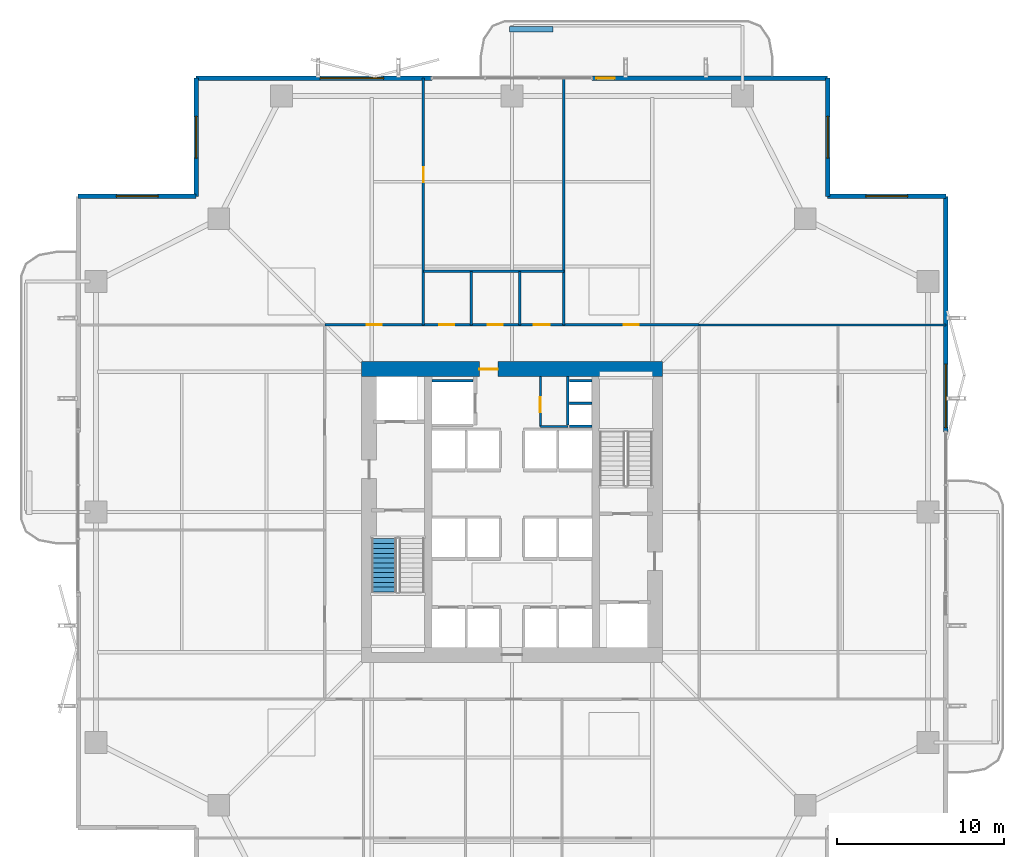
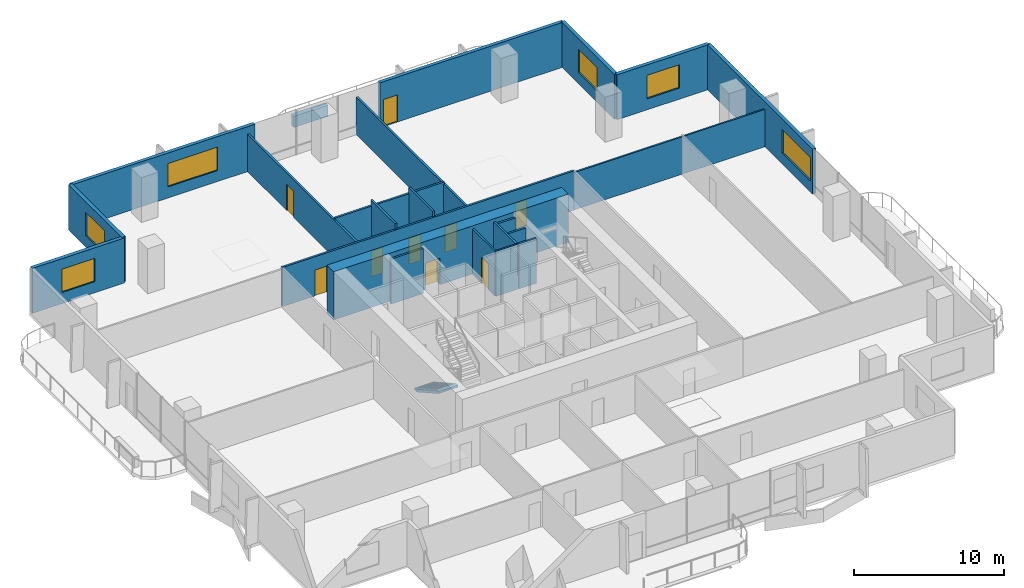
# One storey, part 19 of 23: 23 walls, 9 doors, 6 windows, 1 stair flight, 15 openings, 1 element without a shape of its own.
"""IFC4 building model written with IfcOpenShell, lengths in metres."""

from ifc_helpers import new_model, si_unit, direction, frame, frame_2d, origin, place, context, subcontext, project, spatial, polyline, rectangle, outline, extrude, material, layer, layer_set, type_object, element, fill, aggregate, save


model = new_model("IFC4")

# Units and contexts
model_context = context("Model", 3, precision=1e-05, world=origin(), true_north=direction((0.0, 1.0)))
body_context = subcontext(model_context, "Body", "Model", "MODEL_VIEW")
ifc_project = project(units=[si_unit("LENGTHUNIT", "METRE"), si_unit("AREAUNIT", "SQUARE_METRE"), si_unit("VOLUMEUNIT", "CUBIC_METRE"), si_unit("PLANEANGLEUNIT", "RADIAN"), si_unit("MASSUNIT", "GRAM", prefix="KILO")], contexts=[model_context])

# Site, building, storey
site_placement = place(None, origin())
site = spatial("IfcSite", under=ifc_project, at=site_placement, CompositionType="ELEMENT")
building_placement = place(site_placement, origin())
building = spatial("IfcBuilding", under=site, at=building_placement, Name="Belovzor Exchange Tower", CompositionType="ELEMENT")
storey_placement = place(building_placement, frame((0.0, 0.0, 125.10009765625)))
storey = spatial("IfcBuildingStorey", under=building, at=storey_placement, Name="L30", CompositionType="ELEMENT", Elevation=125.10009765625)

# Wall
ifc_material_1 = material(Name="Acoustic Plasterboard on Galvanised Studs", Category="gypsum")
ifc_layer_1 = layer(ifc_material_1, 0.1201171875)
ifc_layer_set_1 = layer_set([ifc_layer_1], Name="Acoustic Plasterboard on Galvanised Studs")
wall_type_1 = type_object("IfcWallType", Name="Acoustic Double-Stud Partition Wall 120", PredefinedType="PARTITIONING", material=ifc_layer_set_1)
wall_1_placement = place(storey_placement, frame((40.0, 40.0, 0.0), z_axis=(0.0, 0.0, 1.0), x_axis=(1.0, 0.0, 0.0)))
element("IfcWall", 1, at=wall_1_placement, inside=storey, type_object=wall_type_1, Name="W-P120 Partition Wall W-L30-END-NE", PredefinedType="PARTITIONING", context=body_context, shape_type="SweptSolid", body=[
    extrude(rectangle(XDim=14.77001953125, YDim=0.1201171875, at=frame_2d((7.385009765625, 0.0))), origin(), (0.0, 0.0, 1.0), 3.034912109375),
])

# Wall, opening, door
ifc_material_2 = material(Name="Fire-Rated Plasterboard on Galvanised Studs", Category="gypsum")
ifc_layer_2 = layer(ifc_material_2, 0.1201171875)
ifc_layer_set_2 = layer_set([ifc_layer_2], Name="Fire-Rated Plasterboard on Galvanised Studs")
wall_type_2 = type_object("IfcWallType", Name="Fire-Rated Double-Stud Partition Wall 120", PredefinedType="PARTITIONING", material=ifc_layer_set_2)
wall_2_placement = place(storey_placement, frame((30.5, 33.925048828125, 0.0), z_axis=(0.0, 0.0, 1.0), x_axis=(0.0, 1.0, 0.0)))
wall_2 = element("IfcWall", 2, at=wall_2_placement, inside=storey, type_object=wall_type_2, Name="W-P120F Partition Wall W-CRV-L30-W", PredefinedType="PARTITIONING", context=body_context, shape_type="SweptSolid", body=[
    extrude(rectangle(XDim=2.974853515625, YDim=0.1201171875, at=frame_2d((1.4873046875, 0.0))), origin(), (0.0, 0.0, 1.0), 3.64990234375),
])
opening_1_placement = place(wall_2_placement, frame((0.85009765625, 0.0, 0.0)))
opening_1 = element("IfcOpeningElement", 3, at=opening_1_placement, cuts=wall_2, Name="Opening D-FD60-090", PredefinedType="OPENING", context=body_context, shape_type="SweptSolid", body=[
    extrude(rectangle(XDim=0.89990234375, YDim=2.10009765625, at=frame_2d((0.449951171875, 1.050048828125))), frame((0.0, 0.070068359375, 0.0), z_axis=(0.0, -1.0, 0.0), x_axis=(1.0, 0.0, 0.0)), (0.0, 0.0, 1.0), 0.14013671875),
])
ifc_material_3 = material(Name="Acoustic Timber Fire Leaf", Category="wood")
door_type_1 = type_object("IfcDoorType", Name="Core Service & Restroom Fire Door 900x2100", OperationType="NOTDEFINED", PredefinedType="DOOR", material=ifc_material_3)
door_1_placement = place(opening_1_placement, origin())
door_1 = element("IfcDoor", 4, at=door_1_placement, inside=storey, type_object=door_type_1, Name="D-FD60-090 Core Service & Restroom Fire Door 900x2100", OperationType="SINGLE_SWING_LEFT", OverallHeight=2.10009765625, OverallWidth=0.89990234375, PredefinedType="DOOR", context=body_context, shape_type="SweptSolid", body=[
    extrude(rectangle(XDim=0.89990234375, YDim=2.10009765625, at=frame_2d((0.449951171875, 1.050048828125))), frame((0.0, 0.02490234375, 0.0), z_axis=(0.0, -1.0, 0.0), x_axis=(1.0, 0.0, 0.0)), (0.0, 0.0, 1.0), 0.050048828125),
])
fill(opening_1, door_1)

# Walls
wall_3_placement = place(storey_placement, frame((30.5, 33.925048828125, 0.0), z_axis=(0.0, 0.0, 1.0), x_axis=(1.0, 0.0, 0.0)))
element("IfcWall", 5, at=wall_3_placement, inside=storey, type_object=wall_type_2, Name="W-P120F Partition Wall W-CRV-L30-S", PredefinedType="PARTITIONING", context=body_context, shape_type="SweptSolid", body=[
    extrude(rectangle(XDim=1.64990234375, YDim=0.1201171875, at=frame_2d((0.824951171875, 0.0))), origin(), (0.0, 0.0, 1.0), 3.64990234375),
])
ifc_material_4 = material(Name="Fire-Rated Gypsum Block and Mineral Wool", Category="gypsum")
ifc_layer_3 = layer(ifc_material_4, 0.14990234375)
ifc_layer_set_3 = layer_set([ifc_layer_3], Name="Fire-Rated Gypsum Block and Mineral Wool")
wall_type_3 = type_object("IfcWallType", Name="Fire-Rated Gypsum Block Corridor Wall 150", PredefinedType="PARTITIONING", material=ifc_layer_set_3)
wall_4_placement = place(storey_placement, frame((23.5, 43.199951171875, 0.0), z_axis=(0.0, 0.0, 1.0), x_axis=(1.0, 0.0, 0.0)))
element("IfcWall", 6, at=wall_4_placement, inside=storey, type_object=wall_type_3, Name="W-P150 Partition Wall W-L30-WCN", PredefinedType="PARTITIONING", context=body_context, shape_type="SweptSolid", body=[
    extrude(rectangle(XDim=8.39990234375, YDim=0.14990234375, at=frame_2d((4.199951171875, 0.0))), origin(), (0.0, 0.0, 1.0), 3.184814453125),
])

# Wall, opening, door
wall_5_placement = place(storey_placement, frame((23.5, 40.0, 0.0), z_axis=(0.0, 0.0, 1.0), x_axis=(0.0, 1.0, 0.0)))
wall_5 = element("IfcWall", 7, at=wall_5_placement, inside=storey, type_object=wall_type_3, Name="W-P150 Partition Wall W-L30-WCW", PredefinedType="PARTITIONING", context=body_context, shape_type="SweptSolid", body=[
    extrude(rectangle(XDim=14.77001953125, YDim=0.14990234375, at=frame_2d((7.385009765625, 0.0))), origin(), (0.0, 0.0, 1.0), 3.034912109375),
])
opening_2_placement = place(wall_5_placement, frame((8.534912109375, 0.0, 0.0)))
opening_2 = element("IfcOpeningElement", 8, at=opening_2_placement, cuts=wall_5, Name="Opening D-INT-090", PredefinedType="OPENING", context=body_context, shape_type="SweptSolid", body=[
    extrude(rectangle(XDim=0.89990234375, YDim=2.10009765625, at=frame_2d((0.449951171875, 1.050048828125))), frame((0.0, 0.0849609375, 0.0), z_axis=(0.0, -1.0, 0.0), x_axis=(1.0, 0.0, 0.0)), (0.0, 0.0, 1.0), 0.169921875),
])
ifc_material_5 = material(Name="Veneered Hardwood Acoustic Leaf", Category="wood")
door_type_2 = type_object("IfcDoorType", Name="Trading Suite Acoustic Single Door 900x2100", OperationType="NOTDEFINED", PredefinedType="DOOR", material=ifc_material_5)
door_2_placement = place(opening_2_placement, origin())
door_2 = element("IfcDoor", 9, at=door_2_placement, inside=storey, type_object=door_type_2, Name="D-INT-090 Trading Suite Acoustic Single Door 900x2100", OperationType="SINGLE_SWING_LEFT", OverallHeight=2.10009765625, OverallWidth=0.89990234375, PredefinedType="DOOR", context=body_context, shape_type="SweptSolid", body=[
    extrude(rectangle(XDim=0.89990234375, YDim=2.10009765625, at=frame_2d((0.449951171875, 1.050048828125))), frame((0.0, 0.02490234375, 0.0), z_axis=(0.0, -1.0, 0.0), x_axis=(1.0, 0.0, 0.0)), (0.0, 0.0, 1.0), 0.050048828125),
])
fill(opening_2, door_2)

# Walls
wall_6_placement = place(storey_placement, frame((31.89990234375, 40.0, 0.0), z_axis=(0.0, 0.0, 1.0), x_axis=(0.0, 1.0, 0.0)))
element("IfcWall", 10, at=wall_6_placement, inside=storey, type_object=wall_type_3, Name="W-P150 Partition Wall W-L30-WCE", PredefinedType="PARTITIONING", context=body_context, shape_type="SweptSolid", body=[
    extrude(rectangle(XDim=14.77001953125, YDim=0.14990234375, at=frame_2d((7.385009765625, 0.0))), origin(), (0.0, 0.0, 1.0), 3.034912109375),
])
for number, where, z_axis, x_axis, name in (
    (11, (26.35009765625, 40.0, 0.0), (0.0, 0.0, 1.0), (0.0, 1.0, 0.0), "W-P150 Partition Wall W-L30-WCD1"),
    (12, (29.25, 40.0, 0.0), (0.0, 0.0, 1.0), (0.0, 1.0, 0.0), "W-P150 Partition Wall W-L30-WCD2"),
):
    element("IfcWall", number, at=place(storey_placement, frame(where, z_axis=z_axis, x_axis=x_axis)), inside=storey, type_object=wall_type_3, Name=name, PredefinedType="PARTITIONING", context=body_context, shape_type="SweptSolid", body=[
        extrude(rectangle(XDim=3.199951171875, YDim=0.14990234375, at=frame_2d((1.60009765625, 0.0))), origin(), (0.0, 0.0, 1.0), 3.64990234375),
    ])

# Wall, openings, doors
wall_7_placement = place(storey_placement, frame((17.60009765625, 40.0, 0.0), z_axis=(0.0, 0.0, 1.0), x_axis=(1.0, 0.0, 0.0)))
wall_7 = element("IfcWall", 13, at=wall_7_placement, inside=storey, type_object=wall_type_3, Name="W-P150 Partition Wall W-L30-CN", PredefinedType="PARTITIONING", context=body_context, shape_type="SweptSolid", body=[
    extrude(rectangle(XDim=22.39990234375, YDim=0.14990234375, at=frame_2d((11.199951171875, 0.0))), origin(), (0.0, 0.0, 1.0), 3.184814453125),
])
opening_3_placement = place(wall_7_placement, frame((2.5, 0.0, 0.0)))
opening_3 = element("IfcOpeningElement", 14, at=opening_3_placement, cuts=wall_7, Name="Opening D-INT-090", PredefinedType="OPENING", context=body_context, shape_type="SweptSolid", body=[
    extrude(rectangle(XDim=0.89990234375, YDim=2.10009765625, at=frame_2d((0.449951171875, 1.050048828125))), frame((0.0, 0.0849609375, 0.0), z_axis=(0.0, -1.0, 0.0), x_axis=(1.0, 0.0, 0.0)), (0.0, 0.0, 1.0), 0.169921875),
])
opening_4_placement = place(wall_7_placement, frame((6.85009765625, 0.0, 0.0)))
opening_4 = element("IfcOpeningElement", 15, at=opening_4_placement, cuts=wall_7, Name="Opening D-FD60-090", PredefinedType="OPENING", context=body_context, shape_type="SweptSolid", body=[
    extrude(rectangle(XDim=0.89990234375, YDim=2.10009765625, at=frame_2d((0.449951171875, 1.050048828125))), frame((0.0, 0.0849609375, 0.0), z_axis=(0.0, -1.0, 0.0), x_axis=(1.0, 0.0, 0.0)), (0.0, 0.0, 1.0), 0.169921875),
])
opening_5_placement = place(wall_7_placement, frame((9.75, 0.0, 0.0)))
opening_5 = element("IfcOpeningElement", 16, at=opening_5_placement, cuts=wall_7, Name="Opening D-FD60-090", PredefinedType="OPENING", context=body_context, shape_type="SweptSolid", body=[
    extrude(rectangle(XDim=0.89990234375, YDim=2.10009765625, at=frame_2d((0.449951171875, 1.050048828125))), frame((0.0, 0.0849609375, 0.0), z_axis=(0.0, -1.0, 0.0), x_axis=(1.0, 0.0, 0.0)), (0.0, 0.0, 1.0), 0.169921875),
])
opening_6_placement = place(wall_7_placement, frame((12.5, 0.0, 0.0)))
opening_6 = element("IfcOpeningElement", 17, at=opening_6_placement, cuts=wall_7, Name="Opening D-FD60-095", PredefinedType="OPENING", context=body_context, shape_type="SweptSolid", body=[
    extrude(rectangle(XDim=0.949951171875, YDim=2.10009765625, at=frame_2d((0.47509765625, 1.050048828125))), frame((0.0, 0.0849609375, 0.0), z_axis=(0.0, -1.0, 0.0), x_axis=(1.0, 0.0, 0.0)), (0.0, 0.0, 1.0), 0.169921875),
])
opening_7_placement = place(wall_7_placement, frame((17.89990234375, 0.0, 0.0)))
opening_7 = element("IfcOpeningElement", 18, at=opening_7_placement, cuts=wall_7, Name="Opening D-INT-090", PredefinedType="OPENING", context=body_context, shape_type="SweptSolid", body=[
    extrude(rectangle(XDim=0.89990234375, YDim=2.10009765625, at=frame_2d((0.449951171875, 1.050048828125))), frame((0.0, 0.0849609375, 0.0), z_axis=(0.0, -1.0, 0.0), x_axis=(1.0, 0.0, 0.0)), (0.0, 0.0, 1.0), 0.169921875),
])
ifc_material_6 = material(Name="Moisture-Resistant Timber Fire Leaf", Category="wood")
door_type_3 = type_object("IfcDoorType", Name="Accessible Restroom Wide Fire Door 950x2100", OperationType="NOTDEFINED", PredefinedType="DOOR", material=ifc_material_6)
door_3_placement = place(opening_6_placement, origin())
door_3 = element("IfcDoor", 19, at=door_3_placement, inside=storey, type_object=door_type_3, Name="D-FD60-095 Accessible Restroom Wide Fire Door 950x2100", OperationType="SINGLE_SWING_LEFT", OverallHeight=2.10009765625, OverallWidth=0.949951171875, PredefinedType="DOOR", context=body_context, shape_type="SweptSolid", body=[
    extrude(rectangle(XDim=0.949951171875, YDim=2.10009765625, at=frame_2d((0.47509765625, 1.050048828125))), frame((0.0, 0.02490234375, 0.0), z_axis=(0.0, -1.0, 0.0), x_axis=(1.0, 0.0, 0.0)), (0.0, 0.0, 1.0), 0.050048828125),
])
fill(opening_6, door_3)
door_4_placement = place(opening_4_placement, origin())
door_4 = element("IfcDoor", 20, at=door_4_placement, inside=storey, type_object=door_type_1, Name="D-FD60-090 Core Service & Restroom Fire Door 900x2100", OperationType="SINGLE_SWING_LEFT", OverallHeight=2.10009765625, OverallWidth=0.89990234375, PredefinedType="DOOR", context=body_context, shape_type="SweptSolid", body=[
    extrude(rectangle(XDim=0.89990234375, YDim=2.10009765625, at=frame_2d((0.449951171875, 1.050048828125))), frame((0.0, 0.02490234375, 0.0), z_axis=(0.0, -1.0, 0.0), x_axis=(1.0, 0.0, 0.0)), (0.0, 0.0, 1.0), 0.050048828125),
])
fill(opening_4, door_4)
door_5_placement = place(opening_5_placement, origin())
door_5 = element("IfcDoor", 21, at=door_5_placement, inside=storey, type_object=door_type_1, Name="D-FD60-090 Core Service & Restroom Fire Door 900x2100", OperationType="SINGLE_SWING_RIGHT", OverallHeight=2.10009765625, OverallWidth=0.89990234375, PredefinedType="DOOR", context=body_context, shape_type="SweptSolid", body=[
    extrude(rectangle(XDim=0.89990234375, YDim=2.10009765625, at=frame_2d((0.449951171875, 1.050048828125))), frame((0.0, 0.02490234375, 0.0), z_axis=(0.0, -1.0, 0.0), x_axis=(1.0, 0.0, 0.0)), (0.0, 0.0, 1.0), 0.050048828125),
])
fill(opening_5, door_5)
door_6_placement = place(opening_3_placement, origin())
door_6 = element("IfcDoor", 22, at=door_6_placement, inside=storey, type_object=door_type_2, Name="D-INT-090 Trading Suite Acoustic Single Door 900x2100", OperationType="SINGLE_SWING_LEFT", OverallHeight=2.10009765625, OverallWidth=0.89990234375, PredefinedType="DOOR", context=body_context, shape_type="SweptSolid", body=[
    extrude(rectangle(XDim=0.89990234375, YDim=2.10009765625, at=frame_2d((0.449951171875, 1.050048828125))), frame((0.0, 0.02490234375, 0.0), z_axis=(0.0, -1.0, 0.0), x_axis=(1.0, 0.0, 0.0)), (0.0, 0.0, 1.0), 0.050048828125),
])
fill(opening_3, door_6)
door_7_placement = place(opening_7_placement, origin())
door_7 = element("IfcDoor", 23, at=door_7_placement, inside=storey, type_object=door_type_2, Name="D-INT-090 Trading Suite Acoustic Single Door 900x2100", OperationType="SINGLE_SWING_RIGHT", OverallHeight=2.10009765625, OverallWidth=0.89990234375, PredefinedType="DOOR", context=body_context, shape_type="SweptSolid", body=[
    extrude(rectangle(XDim=0.89990234375, YDim=2.10009765625, at=frame_2d((0.449951171875, 1.050048828125))), frame((0.0, 0.02490234375, 0.0), z_axis=(0.0, -1.0, 0.0), x_axis=(1.0, 0.0, 0.0)), (0.0, 0.0, 1.0), 0.050048828125),
])
fill(opening_7, door_7)

# Wall, opening, window
ifc_material_7 = material(Name="Precast concrete C40/50", Category="concrete")
ifc_layer_4 = layer(ifc_material_7, 0.280029296875)
ifc_layer_set_4 = layer_set([ifc_layer_4], Name="Precast concrete C40/50")
wall_type_4 = type_object("IfcWallType", Name="Precast Concrete Notched Corner Frame Wall 280", PredefinedType="SOLIDWALL", material=ifc_layer_set_4)
wall_8_placement = place(storey_placement, frame((2.830078125, 47.699951171875, 0.0), z_axis=(0.0, 0.0, 1.0), x_axis=(1.0, 0.0, 0.0)))
wall_8 = element("IfcWall", 24, at=wall_8_placement, inside=storey, type_object=wall_type_4, Name="W-CRN280 Precast Concrete Notched Corner Frame Wall 280 L30", PredefinedType="SOLIDWALL", context=body_context, shape_type="SweptSolid", body=[
    extrude(rectangle(XDim=7.06982421875, YDim=0.280029296875, at=frame_2d((3.534912109375, 0.0))), origin(), (0.0, 0.0, 1.0), 3.64990234375),
])
opening_8_placement = place(wall_8_placement, frame((2.284912109375, 0.0, 0.89990234375)))
opening_8 = element("IfcOpeningElement", 25, at=opening_8_placement, cuts=wall_8, Name="Opening WN-CRN250", PredefinedType="OPENING", context=body_context, shape_type="SweptSolid", body=[
    extrude(rectangle(XDim=2.5, YDim=1.89990234375, at=frame_2d((1.25, 0.949951171875))), frame((0.0, 0.14990234375, 0.0), z_axis=(0.0, -1.0, 0.0), x_axis=(1.0, 0.0, 0.0)), (0.0, 0.0, 1.0), 0.300048828125),
])
ifc_material_8 = material(Name="Thermally Broken Aluminium and Triple Glazing", Category="aluminium")
window_type_1 = type_object("IfcWindowType", Name="Streamline Moderne Corner Wrap Ribbon Window 2500x1900", PartitioningType="SINGLE_PANEL", PredefinedType="WINDOW", material=ifc_material_8)
window_1_placement = place(opening_8_placement, origin())
window_1 = element("IfcWindow", 26, at=window_1_placement, inside=storey, type_object=window_type_1, Name="WN-CRN250 Streamline Moderne Corner Wrap Ribbon Window 2500x1900", OverallHeight=1.89990234375, OverallWidth=2.5, PartitioningType="SINGLE_PANEL", PredefinedType="WINDOW", context=body_context, shape_type="SweptSolid", body=[
    extrude(rectangle(XDim=2.5, YDim=1.89990234375, at=frame_2d((1.25, 0.949951171875))), frame((0.0, 0.030029296875, 0.0), z_axis=(0.0, -1.0, 0.0), x_axis=(1.0, 0.0, 0.0)), (0.0, 0.0, 1.0), 0.06005859375),
])
fill(opening_8, window_1)

wall_9_placement = place(storey_placement, frame((9.89990234375, 47.699951171875, 0.0), z_axis=(0.0, 0.0, 1.0), x_axis=(0.0, 1.0, 0.0)))
wall_9 = element("IfcWall", 27, at=wall_9_placement, inside=storey, type_object=wall_type_4, Name="W-CRN280 Precast Concrete Notched Corner Frame Wall 280 L30", PredefinedType="SOLIDWALL", context=body_context, shape_type="SweptSolid", body=[
    extrude(rectangle(XDim=7.070068359375, YDim=0.280029296875, at=frame_2d((3.53515625, 0.0))), origin(), (0.0, 0.0, 1.0), 3.64990234375),
])
opening_9_placement = place(wall_9_placement, frame((2.284912109375, 0.0, 0.89990234375)))
opening_9 = element("IfcOpeningElement", 28, at=opening_9_placement, cuts=wall_9, Name="Opening WN-CRN250", PredefinedType="OPENING", context=body_context, shape_type="SweptSolid", body=[
    extrude(rectangle(XDim=2.5, YDim=1.89990234375, at=frame_2d((1.25, 0.949951171875))), frame((0.0, 0.14990234375, 0.0), z_axis=(0.0, -1.0, 0.0), x_axis=(1.0, 0.0, 0.0)), (0.0, 0.0, 1.0), 0.300048828125),
])
window_2_placement = place(opening_9_placement, origin())
window_2 = element("IfcWindow", 29, at=window_2_placement, inside=storey, type_object=window_type_1, Name="WN-CRN250 Streamline Moderne Corner Wrap Ribbon Window 2500x1900", OverallHeight=1.89990234375, OverallWidth=2.5, PartitioningType="SINGLE_PANEL", PredefinedType="WINDOW", context=body_context, shape_type="SweptSolid", body=[
    extrude(rectangle(XDim=2.5, YDim=1.89990234375, at=frame_2d((1.25, 0.949951171875))), frame((0.0, 0.030029296875, 0.0), z_axis=(0.0, -1.0, 0.0), x_axis=(1.0, 0.0, 0.0)), (0.0, 0.0, 1.0), 0.06005859375),
])
fill(opening_9, window_2)

wall_10_placement = place(storey_placement, frame((47.699951171875, 54.77001953125, 0.0), z_axis=(0.0, 0.0, 1.0), x_axis=(0.0, -1.0, 0.0)))
wall_10 = element("IfcWall", 30, at=wall_10_placement, inside=storey, type_object=wall_type_4, Name="W-CRN280 Precast Concrete Notched Corner Frame Wall 280 L30", PredefinedType="SOLIDWALL", context=body_context, shape_type="SweptSolid", body=[
    extrude(rectangle(XDim=7.070068359375, YDim=0.280029296875, at=frame_2d((3.53515625, 0.0))), origin(), (0.0, 0.0, 1.0), 3.64990234375),
])
opening_10_placement = place(wall_10_placement, frame((2.284912109375, 0.0, 0.89990234375)))
opening_10 = element("IfcOpeningElement", 31, at=opening_10_placement, cuts=wall_10, Name="Opening WN-CRN250", PredefinedType="OPENING", context=body_context, shape_type="SweptSolid", body=[
    extrude(rectangle(XDim=2.5, YDim=1.89990234375, at=frame_2d((1.25, 0.949951171875))), frame((0.0, 0.14990234375, 0.0), z_axis=(0.0, -1.0, 0.0), x_axis=(1.0, 0.0, 0.0)), (0.0, 0.0, 1.0), 0.300048828125),
])
window_3_placement = place(opening_10_placement, origin())
window_3 = element("IfcWindow", 32, at=window_3_placement, inside=storey, type_object=window_type_1, Name="WN-CRN250 Streamline Moderne Corner Wrap Ribbon Window 2500x1900", OverallHeight=1.89990234375, OverallWidth=2.5, PartitioningType="SINGLE_PANEL", PredefinedType="WINDOW", context=body_context, shape_type="SweptSolid", body=[
    extrude(rectangle(XDim=2.5, YDim=1.89990234375, at=frame_2d((1.25, 0.949951171875))), frame((0.0, 0.030029296875, 0.0), z_axis=(0.0, -1.0, 0.0), x_axis=(1.0, 0.0, 0.0)), (0.0, 0.0, 1.0), 0.06005859375),
])
fill(opening_10, window_3)

wall_11_placement = place(storey_placement, frame((47.699951171875, 47.699951171875, 0.0), z_axis=(0.0, 0.0, 1.0), x_axis=(1.0, 0.0, 0.0)))
wall_11 = element("IfcWall", 33, at=wall_11_placement, inside=storey, type_object=wall_type_4, Name="W-CRN280 Precast Concrete Notched Corner Frame Wall 280 L30", PredefinedType="SOLIDWALL", context=body_context, shape_type="SweptSolid", body=[
    extrude(rectangle(XDim=7.070068359375, YDim=0.280029296875, at=frame_2d((3.53515625, 0.0))), origin(), (0.0, 0.0, 1.0), 3.64990234375),
])
opening_11_placement = place(wall_11_placement, frame((2.284912109375, 0.0, 0.89990234375)))
opening_11 = element("IfcOpeningElement", 34, at=opening_11_placement, cuts=wall_11, Name="Opening WN-CRN250", PredefinedType="OPENING", context=body_context, shape_type="SweptSolid", body=[
    extrude(rectangle(XDim=2.5, YDim=1.89990234375, at=frame_2d((1.25, 0.949951171875))), frame((0.0, 0.14990234375, 0.0), z_axis=(0.0, -1.0, 0.0), x_axis=(1.0, 0.0, 0.0)), (0.0, 0.0, 1.0), 0.300048828125),
])
window_4_placement = place(opening_11_placement, origin())
window_4 = element("IfcWindow", 35, at=window_4_placement, inside=storey, type_object=window_type_1, Name="WN-CRN250 Streamline Moderne Corner Wrap Ribbon Window 2500x1900", OverallHeight=1.89990234375, OverallWidth=2.5, PartitioningType="SINGLE_PANEL", PredefinedType="WINDOW", context=body_context, shape_type="SweptSolid", body=[
    extrude(rectangle(XDim=2.5, YDim=1.89990234375, at=frame_2d((1.25, 0.949951171875))), frame((0.0, 0.030029296875, 0.0), z_axis=(0.0, -1.0, 0.0), x_axis=(1.0, 0.0, 0.0)), (0.0, 0.0, 1.0), 0.06005859375),
])
fill(opening_11, window_4)

ifc_material_9 = material(Name="Precast concrete C40/50", Category="concrete")
ifc_layer_5 = layer(ifc_material_9, 0.260009765625)
ifc_layer_set_5 = layer_set([ifc_layer_5], Name="Precast concrete C40/50")
wall_type_5 = type_object("IfcWallType", Name="Precast Concrete Perimeter Loggia Frame Wall 260", PredefinedType="SOLIDWALL", material=ifc_layer_set_5)
wall_12_placement = place(storey_placement, frame((9.89990234375, 54.77001953125, 0.0), z_axis=(0.0, 0.0, 1.0), x_axis=(1.0, 0.0, 0.0)))
wall_12 = element("IfcWall", 36, at=wall_12_placement, inside=storey, type_object=wall_type_5, Name="W-EXT260 Precast Concrete Perimeter Loggia Frame Wall 260 L30", PredefinedType="SOLIDWALL", context=body_context, shape_type="SweptSolid", body=[
    extrude(rectangle(XDim=14.10009765625, YDim=0.260009765625, at=frame_2d((7.050048828125, 0.0))), origin(), (0.0, 0.0, 1.0), 3.64990234375),
])
opening_12_placement = place(wall_12_placement, frame((7.4208984375, 0.0, 0.89990234375)))
opening_12 = element("IfcOpeningElement", 37, at=opening_12_placement, cuts=wall_12, Name="Opening WN-RIB380", PredefinedType="OPENING", context=body_context, shape_type="SweptSolid", body=[
    extrude(rectangle(XDim=3.800048828125, YDim=1.89990234375, at=frame_2d((1.89990234375, 0.949951171875))), frame((0.0, 0.139892578125, 0.0), z_axis=(0.0, -1.0, 0.0), x_axis=(1.0, 0.0, 0.0)), (0.0, 0.0, 1.0), 0.280029296875),
])
ifc_material_10 = material(Name="Thermally Broken Aluminium and Triple Glazing", Category="aluminium")
window_type_2 = type_object("IfcWindowType", Name="Streamline Moderne Horizontal Ribbon Window 3800x1900", PartitioningType="SINGLE_PANEL", PredefinedType="WINDOW", material=ifc_material_10)
window_5_placement = place(opening_12_placement, origin())
window_5 = element("IfcWindow", 38, at=window_5_placement, inside=storey, type_object=window_type_2, Name="WN-RIB380 Streamline Moderne Horizontal Ribbon Window 3800x1900", OverallHeight=1.89990234375, OverallWidth=3.800048828125, PartitioningType="SINGLE_PANEL", PredefinedType="WINDOW", context=body_context, shape_type="SweptSolid", body=[
    extrude(rectangle(XDim=3.800048828125, YDim=1.89990234375, at=frame_2d((1.89990234375, 0.949951171875))), frame((0.0, 0.030029296875, 0.0), z_axis=(0.0, -1.0, 0.0), x_axis=(1.0, 0.0, 0.0)), (0.0, 0.0, 1.0), 0.06005859375),
])
fill(opening_12, window_5)

# Wall, opening, door
wall_13_placement = place(storey_placement, frame((33.60009765625, 54.77001953125, 0.0), z_axis=(0.0, 0.0, 1.0), x_axis=(1.0, 0.0, 0.0)))
wall_13 = element("IfcWall", 39, at=wall_13_placement, inside=storey, type_object=wall_type_5, Name="W-EXT260 Precast Concrete Perimeter Loggia Frame Wall 260 L30", PredefinedType="SOLIDWALL", context=body_context, shape_type="SweptSolid", body=[
    extrude(rectangle(XDim=14.099853515625, YDim=0.260009765625, at=frame_2d((7.0498046875, 0.0))), origin(), (0.0, 0.0, 1.0), 3.64990234375),
])
opening_13_placement = place(wall_13_placement, frame((0.25, 0.0, 0.0)))
opening_13 = element("IfcOpeningElement", 40, at=opening_13_placement, cuts=wall_13, Name="Opening D-BAL110", PredefinedType="OPENING", context=body_context, shape_type="SweptSolid", body=[
    extrude(rectangle(XDim=1.10009765625, YDim=2.199951171875, at=frame_2d((0.550048828125, 1.10009765625))), frame((0.0, 0.139892578125, 0.0), z_axis=(0.0, -1.0, 0.0), x_axis=(1.0, 0.0, 0.0)), (0.0, 0.0, 1.0), 0.280029296875),
])
ifc_material_11 = material(Name="Thermally Broken Anodised Aluminium and Laminated Glass", Category="aluminium")
door_type_4 = type_object("IfcDoorType", Name="Planted Loggia Terrace Glazed Door 1100x2200", OperationType="SINGLE_SWING_LEFT", PredefinedType="DOOR", material=ifc_material_11)
door_8_placement = place(opening_13_placement, origin())
door_8 = element("IfcDoor", 41, at=door_8_placement, inside=storey, type_object=door_type_4, Name="D-BAL110 Balcony Terrace Door L30 N", OperationType="SINGLE_SWING_RIGHT", OverallHeight=2.199951171875, OverallWidth=1.10009765625, PredefinedType="DOOR", context=body_context, shape_type="SweptSolid", body=[
    extrude(rectangle(XDim=1.10009765625, YDim=2.199951171875, at=frame_2d((0.550048828125, 1.10009765625))), frame((0.0, 0.02490234375, 0.0), z_axis=(0.0, -1.0, 0.0), x_axis=(1.0, 0.0, 0.0)), (0.0, 0.0, 1.0), 0.050048828125),
])
fill(opening_13, door_8)

# Wall, opening, window
wall_14_placement = place(storey_placement, frame((54.77001953125, 47.699951171875, 0.0), z_axis=(0.0, 0.0, 1.0), x_axis=(0.0, -1.0, 0.0)))
wall_14 = element("IfcWall", 42, at=wall_14_placement, inside=storey, type_object=wall_type_5, Name="W-EXT260 Precast Concrete Perimeter Loggia Frame Wall 260 L30", PredefinedType="SOLIDWALL", context=body_context, shape_type="SweptSolid", body=[
    extrude(rectangle(XDim=14.099853515625, YDim=0.260009765625, at=frame_2d((7.0498046875, 0.0))), origin(), (0.0, 0.0, 1.0), 3.64990234375),
])
opening_14_placement = place(wall_14_placement, frame((10.050048828125, 0.0, 0.89990234375)))
opening_14 = element("IfcOpeningElement", 43, at=opening_14_placement, cuts=wall_14, Name="Opening WN-RIB380", PredefinedType="OPENING", context=body_context, shape_type="SweptSolid", body=[
    extrude(rectangle(XDim=3.800048828125, YDim=1.89990234375, at=frame_2d((1.89990234375, 0.949951171875))), frame((0.0, 0.139892578125, 0.0), z_axis=(0.0, -1.0, 0.0), x_axis=(1.0, 0.0, 0.0)), (0.0, 0.0, 1.0), 0.280029296875),
])
window_6_placement = place(opening_14_placement, origin())
window_6 = element("IfcWindow", 44, at=window_6_placement, inside=storey, type_object=window_type_2, Name="WN-RIB380 Streamline Moderne Horizontal Ribbon Window 3800x1900", OverallHeight=1.89990234375, OverallWidth=3.800048828125, PartitioningType="SINGLE_PANEL", PredefinedType="WINDOW", context=body_context, shape_type="SweptSolid", body=[
    extrude(rectangle(XDim=3.800048828125, YDim=1.89990234375, at=frame_2d((1.89990234375, 0.949951171875))), frame((0.0, 0.030029296875, 0.0), z_axis=(0.0, -1.0, 0.0), x_axis=(1.0, 0.0, 0.0)), (0.0, 0.0, 1.0), 0.06005859375),
])
fill(opening_14, window_6)

# Walls
ifc_material_12 = material(Name="Precast concrete C40/50", Category="concrete")
ifc_layer_6 = layer(ifc_material_12, 0.35009765625)
ifc_layer_set_6 = layer_set([ifc_layer_6], Name="Precast concrete C40/50")
wall_type_6 = type_object("IfcWallType", Name="Precast Concrete Structural Tree Planter Trough 350", PredefinedType="PARAPET", material=ifc_layer_set_6)
wall_15_placement = place(storey_placement, frame((28.64990234375, 57.699951171875, 0.0), z_axis=(0.0, 0.0, 1.0), x_axis=(1.0, 0.0, 0.0)))
element("IfcWall", 45, at=wall_15_placement, inside=storey, type_object=wall_type_6, Name="PT-350 Precast Concrete Structural Tree Planter Trough 350 L30", PredefinedType="PARAPET", context=body_context, shape_type="SweptSolid", body=[
    extrude(rectangle(XDim=2.60009765625, YDim=0.35009765625, at=frame_2d((1.300048828125, 0.0))), origin(), (0.0, 0.0, 1.0), 0.89990234375),
])
ifc_material_13 = material(Name="Concrete C50/60", Category="concrete")
ifc_layer_7 = layer(ifc_material_13, 0.14990234375)
ifc_layer_set_7 = layer_set([ifc_layer_7], Name="Concrete C50/60")
wall_type_7 = type_object("IfcWallType", Name="Reinforced Concrete Core Riser Shear Wall 150", PredefinedType="SHEAR", material=ifc_layer_set_7)
wall_16_placement = place(storey_placement, frame((32.14990234375, 34.0, 0.0), z_axis=(0.0, 0.0, 1.0), x_axis=(0.0, 1.0, 0.0)))
element("IfcWall", 46, at=wall_16_placement, inside=storey, type_object=wall_type_7, Name="W-C150S Core Shaft Wall W-RSR-L30-E", PredefinedType="SHEAR", context=body_context, shape_type="SweptSolid", body=[
    extrude(rectangle(XDim=2.89990234375, YDim=0.14990234375, at=frame_2d((1.449951171875, 0.0))), origin(), (0.0, 0.0, 1.0), 3.64990234375),
])
for number, where, z_axis, x_axis, name in (
    (47, (32.25, 33.925048828125, 0.0), (0.0, 0.0, 1.0), (1.0, 0.0, 0.0), "W-C150S Core Shaft Wall W-RSR-L30-S"),
    (48, (32.25, 35.300048828125, 0.0), (0.0, 0.0, 1.0), (1.0, 0.0, 0.0), "W-C150S Core Shaft Wall W-RSR-L30-M"),
):
    element("IfcWall", number, at=place(storey_placement, frame(where, z_axis=z_axis, x_axis=x_axis)), inside=storey, type_object=wall_type_7, Name=name, PredefinedType="SHEAR", context=body_context, shape_type="SweptSolid", body=[
        extrude(rectangle(XDim=1.330078125, YDim=0.14990234375, at=frame_2d((0.6650390625, 0.0))), origin(), (0.0, 0.0, 1.0), 3.64990234375),
    ])
wall_17_placement = place(storey_placement, frame((24.0, 36.64990234375, 0.0), z_axis=(0.0, 0.0, 1.0), x_axis=(1.0, 0.0, 0.0)))
element("IfcWall", 49, at=wall_17_placement, inside=storey, type_object=wall_type_7, Name="W-C150S Core Shaft Wall W-SH-L30-SL-01N", PredefinedType="SHEAR", context=body_context, shape_type="SweptSolid", body=[
    extrude(rectangle(XDim=2.47998046875, YDim=0.14990234375, at=frame_2d((1.239990234375, 0.0))), origin(), (0.0, 0.0, 1.0), 3.64990234375),
])
wall_18_placement = place(storey_placement, frame((32.25, 36.64990234375, 0.0), z_axis=(0.0, 0.0, 1.0), x_axis=(1.0, 0.0, 0.0)))
element("IfcWall", 50, at=wall_18_placement, inside=storey, type_object=wall_type_7, Name="W-C150S Core Shaft Wall W-RSR-L30-N", PredefinedType="SHEAR", context=body_context, shape_type="SweptSolid", body=[
    extrude(rectangle(XDim=1.330078125, YDim=0.14990234375, at=frame_2d((0.6650390625, 0.0))), origin(), (0.0, 0.0, 1.0), 3.64990234375),
])

# Wall, opening, door
ifc_material_14 = material(Name="Concrete C60/75", Category="concrete")
ifc_layer_8 = layer(ifc_material_14, 0.89990234375)
ifc_layer_set_8 = layer_set([ifc_layer_8], Name="Concrete C60/75")
wall_type_8 = type_object("IfcWallType", Name="Reinforced Concrete Core Shear Wall 900", PredefinedType="SHEAR", material=ifc_layer_set_8)
wall_19_placement = place(storey_placement, frame((19.800048828125, 37.35009765625, 0.0), z_axis=(0.0, 0.0, 1.0), x_axis=(1.0, 0.0, 0.0)))
wall_19 = element("IfcWall", 51, at=wall_19_placement, inside=storey, type_object=wall_type_8, Name="CW-S090 Core Shear Wall L30 N", PredefinedType="SHEAR", context=body_context, shape_type="SweptSolid", body=[
    extrude(rectangle(XDim=18.0, YDim=0.89990234375, at=frame_2d((9.0, 0.0))), origin(), (0.0, 0.0, 1.0), 3.89990234375),
])
opening_15_placement = place(wall_19_placement, frame((7.050048828125, 0.0, 0.0)))
opening_15 = element("IfcOpeningElement", 52, at=opening_15_placement, cuts=wall_19, Name="Opening D-FD90-110", PredefinedType="OPENING", context=body_context, shape_type="SweptSolid", body=[
    extrude(rectangle(XDim=1.10009765625, YDim=2.14990234375, at=frame_2d((0.550048828125, 1.074951171875))), frame((0.0, 0.4599609375, 0.0), z_axis=(0.0, -1.0, 0.0), x_axis=(1.0, 0.0, 0.0)), (0.0, 0.0, 1.0), 0.919921875),
])
ifc_material_15 = material(Name="Fire-Rated Galvanised Steel Leaf", Category="steel")
door_type_5 = type_object("IfcDoorType", Name="Protected Escape Vestibule Fire Door 1100x2150", OperationType="NOTDEFINED", PredefinedType="DOOR", material=ifc_material_15)
door_9_placement = place(opening_15_placement, origin())
door_9 = element("IfcDoor", 53, at=door_9_placement, inside=storey, type_object=door_type_5, Name="D-FD90-110 Protected Escape Vestibule Fire Door 1100x2150", OperationType="SINGLE_SWING_RIGHT", OverallHeight=2.14990234375, OverallWidth=1.10009765625, PredefinedType="DOOR", context=body_context, shape_type="SweptSolid", body=[
    extrude(rectangle(XDim=1.10009765625, YDim=2.14990234375, at=frame_2d((0.550048828125, 1.074951171875))), frame((0.0, 0.02490234375, 0.0), z_axis=(0.0, -1.0, 0.0), x_axis=(1.0, 0.0, 0.0)), (0.0, 0.0, 1.0), 0.050048828125),
])
fill(opening_15, door_9)

# Stair, stair flight
ifc_material_16 = material(Name="Concrete C40/50", Category="concrete")
stair_type = type_object("IfcStairType", Name="Reinforced Concrete Dogleg Escape Stair 1350", PredefinedType="HALF_TURN_STAIR", material=ifc_material_16)
stair_placement = place(storey_placement, origin())
stair = element("IfcStair", 54, at=stair_placement, inside=storey, type_object=stair_type, Name="L30 ST-1", PredefinedType="HALF_TURN_STAIR")
ifc_material_17 = material(Name="Concrete C40/50", Category="concrete")
stair_flight_type = type_object("IfcStairFlightType", Name="Reinforced Concrete Stair Flight 1350", PredefinedType="STRAIGHT", material=ifc_material_17)
stair_flight_placement = place(storey_placement, frame((21.14990234375, 27.199951171875, 0.0), z_axis=(0.0, 0.0, 1.0), x_axis=(0.0, -1.0, 0.0)))
stair_flight = element("IfcStairFlight", 55, at=stair_flight_placement, type_object=stair_flight_type, Name="ST-1 flight 1", NumberOfRisers=12, NumberOfTreads=11, PredefinedType="STRAIGHT", RiserHeight=0.1625, TreadLength=0.29, context=body_context, shape_type="SweptSolid", body=[
    extrude(outline(polyline([(0.0, 0.0), (0.0, 0.16259765625), (0.2900390625, 0.16259765625), (0.2900390625, 0.324951171875), (0.580078125, 0.324951171875), (0.580078125, 0.487548828125), (0.8701171875, 0.487548828125), (0.8701171875, 0.64990234375), (1.159912109375, 0.64990234375), (1.159912109375, 0.8125), (1.449951171875, 0.8125), (1.449951171875, 0.97509765625), (1.739990234375, 0.97509765625), (1.739990234375, 1.137451171875), (2.030029296875, 1.137451171875), (2.030029296875, 1.300048828125), (2.320068359375, 1.300048828125), (2.320068359375, 1.46240234375), (2.610107421875, 1.46240234375), (2.610107421875, 1.625), (2.89990234375, 1.625), (2.89990234375, 1.78759765625), (3.18994140625, 1.78759765625), (3.18994140625, 1.949951171875), (3.18994140625, 1.61572265625), (0.306640625, 0.0), (0.0, 0.0)])), frame((0.0, 0.75, 0.0), z_axis=(0.0, -1.0, 0.0), x_axis=(1.0, 0.0, 0.0)), (0.0, 0.0, 1.0), 1.5),
])
aggregate(stair, [stair_flight])

save(model, "model.ifc")
